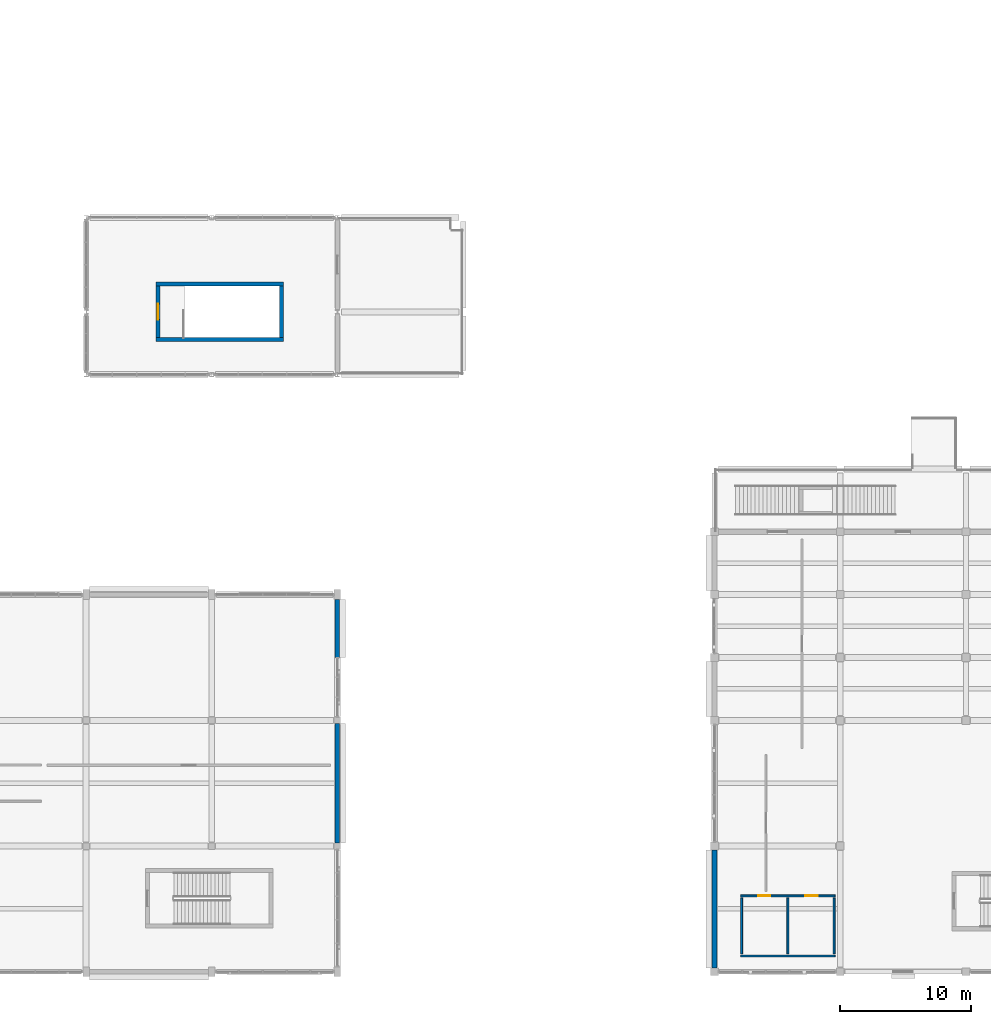
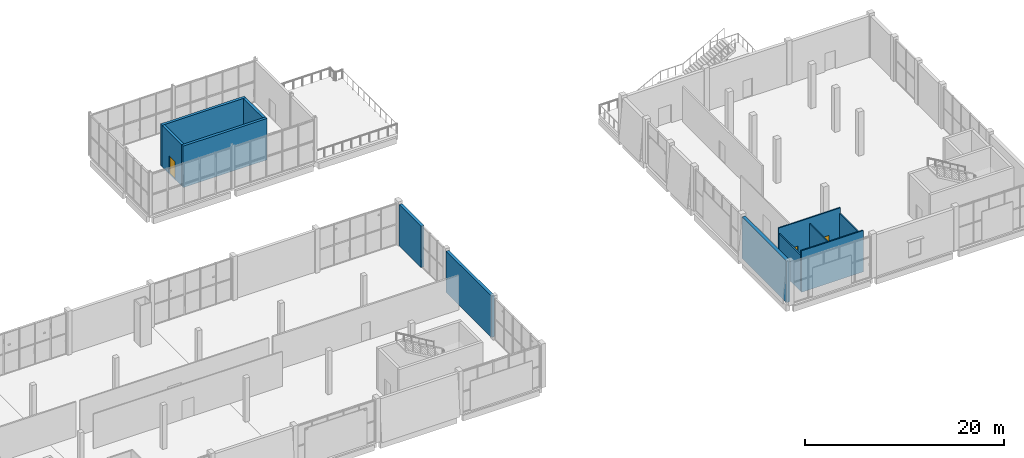
# One storey, part 54 of 83: 12 walls, 3 doors, 3 openings.
"""IFC4 building model written with IfcOpenShell, lengths in metres."""

from ifc_helpers import new_model, si_unit, direction, frame, frame_2d, origin, place, context, subcontext, project, spatial, rectangle, extrude, material, layer, layer_set, type_object, element, fill, save


model = new_model("IFC4")

# Units and contexts
model_context = context("Model", 3, precision=1e-05, world=origin(), true_north=direction((0.0, 1.0)))
body_context = subcontext(model_context, "Body", "Model", "MODEL_VIEW")
ifc_project = project(units=[si_unit("LENGTHUNIT", "METRE"), si_unit("AREAUNIT", "SQUARE_METRE"), si_unit("VOLUMEUNIT", "CUBIC_METRE"), si_unit("PLANEANGLEUNIT", "RADIAN"), si_unit("MASSUNIT", "GRAM", prefix="KILO")], contexts=[model_context])

# Site, building, storey
site_placement = place(None, origin())
site = spatial("IfcSite", under=ifc_project, at=site_placement, CompositionType="ELEMENT")
building_placement = place(site_placement, origin())
building = spatial("IfcBuilding", under=site, at=building_placement, Name="Shalvenor Court Art Gallery", CompositionType="ELEMENT")
storey_placement = place(building_placement, frame((0.0, 0.0, 6.0)))
storey = spatial("IfcBuildingStorey", under=building, at=storey_placement, Name="L01", CompositionType="ELEMENT", Elevation=6.0)

# Walls
ifc_material_1 = material(Name="Concrete C40/50", Category="concrete")
ifc_layer_1 = layer(ifc_material_1, 0.31005859375, Name="Concrete C40/50")
ifc_layer_set_1 = layer_set([ifc_layer_1], Name="Concrete C40/50")
wall_type_1 = type_object("IfcWallType", Name="CW-W2", PredefinedType="SHEAR", material=ifc_layer_set_1)
wall_1_placement = place(storey_placement, frame((53.327880859375, 52.51708984375, 0.0), z_axis=(0.0, 0.0, 1.0), x_axis=(1.0, 0.0, 0.0)))
element("IfcWall", 1, at=wall_1_placement, inside=storey, type_object=wall_type_1, Name="L01 C10 Stair Core Shear Wall N", PredefinedType="SHEAR", context=body_context, shape_type="SweptSolid", body=[
    extrude(rectangle(XDim=9.744140625, YDim=0.31005859375, at=frame_2d((4.8720703125, 0.0))), origin(), (0.0, 0.0, 1.0), 5.080078125),
])
wall_2_placement = place(storey_placement, frame((62.9169921875, 52.362060546875, 0.0), z_axis=(0.0, 0.0, 1.0), x_axis=(0.0, -1.0, 0.0)))
element("IfcWall", 2, at=wall_2_placement, inside=storey, type_object=wall_type_1, Name="L01 C10 Stair Core Shear Wall E", PredefinedType="SHEAR", context=body_context, shape_type="SweptSolid", body=[
    extrude(rectangle(XDim=3.924072265625, YDim=0.31005859375, at=frame_2d((1.9619140625, 0.0))), origin(), (0.0, 0.0, 1.0), 5.080078125),
])
wall_3_placement = place(storey_placement, frame((63.072021484375, 48.282958984375, 0.0), z_axis=(0.0, 0.0, 1.0), x_axis=(-1.0, 0.0, 0.0)))
element("IfcWall", 3, at=wall_3_placement, inside=storey, type_object=wall_type_1, Name="L01 C10 Stair Core Shear Wall S", PredefinedType="SHEAR", context=body_context, shape_type="SweptSolid", body=[
    extrude(rectangle(XDim=9.744140625, YDim=0.31005859375, at=frame_2d((4.8720703125, 0.0))), origin(), (0.0, 0.0, 1.0), 5.080078125),
])

# Wall, opening, door
wall_4_placement = place(storey_placement, frame((53.48291015625, 48.43798828125, 0.0), z_axis=(0.0, 0.0, 1.0), x_axis=(0.0, 1.0, 0.0)))
wall_4 = element("IfcWall", 4, at=wall_4_placement, inside=storey, type_object=wall_type_1, Name="L01 C10 Stair Core Shear Wall W", PredefinedType="SHEAR", context=body_context, shape_type="SweptSolid", body=[
    extrude(rectangle(XDim=3.924072265625, YDim=0.31005859375, at=frame_2d((1.9619140625, 0.0))), origin(), (0.0, 0.0, 1.0), 5.080078125),
])
opening_1_placement = place(wall_4_placement, frame((1.362060546875, 0.0, 0.0)))
opening_1 = element("IfcOpeningElement", 5, at=opening_1_placement, cuts=wall_4, Name="Opening FD-01", PredefinedType="OPENING", context=body_context, shape_type="SweptSolid", body=[
    extrude(rectangle(XDim=1.199951171875, YDim=2.199951171875, at=frame_2d((0.60009765625, 1.10009765625))), frame((0.0, 0.1650390625, 0.0), z_axis=(0.0, -1.0, 0.0), x_axis=(1.0, 0.0, 0.0)), (0.0, 0.0, 1.0), 0.330078125),
])
ifc_material_2 = material(Name="Fire-rated steel stair doorset", Category="steel")
door_type_1 = type_object("IfcDoorType", Name="FD-01", OperationType="NOTDEFINED", PredefinedType="DOOR", material=ifc_material_2)
door_1_placement = place(opening_1_placement, origin())
door_1 = element("IfcDoor", 6, at=door_1_placement, inside=storey, type_object=door_type_1, Name="DR-ST-L01-C10 L01 ST-10 Fire Stair Door", OperationType="SINGLE_SWING_LEFT", OverallHeight=2.199951171875, OverallWidth=1.199951171875, PredefinedType="DOOR", context=body_context, shape_type="SweptSolid", body=[
    extrude(rectangle(XDim=1.199951171875, YDim=2.199951171875, at=frame_2d((0.60009765625, 1.10009765625))), frame((0.0, 0.02490234375, 0.0), z_axis=(0.0, -1.0, 0.0), x_axis=(1.0, 0.0, 0.0)), (0.0, 0.0, 1.0), 0.050048828125),
])
fill(opening_1, door_1)

# Walls
ifc_material_3 = material(Name="Concrete C40/50", Category="concrete")
ifc_layer_2 = layer(ifc_material_3, 0.3798828125, Name="Concrete C40/50")
ifc_layer_set_2 = layer_set([ifc_layer_2], Name="Concrete C40/50")
wall_type_2 = type_object("IfcWallType", Name="EW-03", PredefinedType="SOLIDWALL", material=ifc_layer_set_2)
wall_5_placement = place(storey_placement, frame((96.0, 0.300048828125, 0.0), z_axis=(0.0, 0.0, 1.0), x_axis=(0.0, 1.0, 0.0)))
element("IfcWall", 7, at=wall_5_placement, inside=storey, type_object=wall_type_2, Name="L01 V3 Exterior Wall WL-L01-0195", PredefinedType="SOLIDWALL", context=body_context, shape_type="SweptSolid", body=[
    extrude(rectangle(XDim=9.0, YDim=0.3798828125, at=frame_2d((4.5, 0.0))), origin(), (0.0, 0.0, 1.0), 5.080078125),
])
ifc_material_4 = material(Name="Concrete C40/50", Category="concrete")
ifc_layer_3 = layer(ifc_material_4, 0.340087890625, Name="Concrete C40/50")
ifc_layer_set_3 = layer_set([ifc_layer_3], Name="Concrete C40/50")
wall_type_3 = type_object("IfcWallType", Name="EW-04", PredefinedType="SOLIDWALL", material=ifc_layer_set_3)
wall_6_placement = place(storey_placement, frame((67.199951171875, 28.425048828125, 0.0), z_axis=(0.0, 0.0, 1.0), x_axis=(0.0, -1.0, 0.0)))
element("IfcWall", 8, at=wall_6_placement, inside=storey, type_object=wall_type_3, Name="L01 V4 Exterior Wall WL-L01-0253", PredefinedType="SOLIDWALL", context=body_context, shape_type="SweptSolid", body=[
    extrude(rectangle(XDim=4.425048828125, YDim=0.340087890625, at=frame_2d((2.21240234375, 0.0))), origin(), (0.0, 0.0, 1.0), 5.080078125),
])
wall_7_placement = place(storey_placement, frame((67.199951171875, 18.949951171875, 0.0), z_axis=(0.0, 0.0, 1.0), x_axis=(0.0, -1.0, 0.0)))
element("IfcWall", 9, at=wall_7_placement, inside=storey, type_object=wall_type_3, Name="L01 V4 Exterior Wall WL-L01-0254", PredefinedType="SOLIDWALL", context=body_context, shape_type="SweptSolid", body=[
    extrude(rectangle(XDim=9.099853515625, YDim=0.340087890625, at=frame_2d((4.5498046875, 0.0))), origin(), (0.0, 0.0, 1.0), 5.080078125),
])

# Wall, openings, doors
ifc_material_5 = material(Name="Moisture-resistant sanitary partition", Category="other")
ifc_layer_4 = layer(ifc_material_5, 0.14990234375, Name="Moisture-resistant sanitary partition")
ifc_layer_set_4 = layer_set([ifc_layer_4], Name="Moisture-resistant sanitary partition")
wall_type_4 = type_object("IfcWallType", Name="PT-03", PredefinedType="PARTITIONING", material=ifc_layer_set_4)
wall_8_placement = place(storey_placement, frame((98.0, 5.800048828125, 0.0), z_axis=(0.0, 0.0, 1.0), x_axis=(1.0, 0.0, 0.0)))
wall_8 = element("IfcWall", 10, at=wall_8_placement, inside=storey, type_object=wall_type_4, Name="L01 C4 Restroom Front Partition", PredefinedType="PARTITIONING", context=body_context, shape_type="SweptSolid", body=[
    extrude(rectangle(XDim=7.199951171875, YDim=0.14990234375, at=frame_2d((3.60009765625, 0.0))), origin(), (0.0, 0.0, 1.0), 5.080078125),
])
opening_2_placement = place(wall_8_placement, frame((1.35009765625, 0.0, 0.0)))
opening_2 = element("IfcOpeningElement", 11, at=opening_2_placement, cuts=wall_8, Name="Opening ID-07", PredefinedType="OPENING", context=body_context, shape_type="SweptSolid", body=[
    extrude(rectangle(XDim=0.89990234375, YDim=2.10009765625, at=frame_2d((0.449951171875, 1.050048828125))), frame((0.0, 0.0849609375, 0.0), z_axis=(0.0, -1.0, 0.0), x_axis=(1.0, 0.0, 0.0)), (0.0, 0.0, 1.0), 0.169921875),
])
opening_3_placement = place(wall_8_placement, frame((4.925048828125, 0.0, 0.0)))
opening_3 = element("IfcOpeningElement", 12, at=opening_3_placement, cuts=wall_8, Name="Opening ID-06", PredefinedType="OPENING", context=body_context, shape_type="SweptSolid", body=[
    extrude(rectangle(XDim=0.949951171875, YDim=2.14990234375, at=frame_2d((0.47509765625, 1.074951171875))), frame((0.0, 0.0849609375, 0.0), z_axis=(0.0, -1.0, 0.0), x_axis=(1.0, 0.0, 0.0)), (0.0, 0.0, 1.0), 0.169921875),
])
ifc_material_6 = material(Name="Accessible restroom doorset", Category="steel")
door_type_2 = type_object("IfcDoorType", Name="ID-06", OperationType="NOTDEFINED", PredefinedType="DOOR", material=ifc_material_6)
door_2_placement = place(opening_3_placement, origin())
door_2 = element("IfcDoor", 13, at=door_2_placement, inside=storey, type_object=door_type_2, Name="DR-AWC-L01-C4-2 L01 C4 Accessible Restroom Door", OperationType="SINGLE_SWING_RIGHT", OverallHeight=2.14990234375, OverallWidth=0.949951171875, PredefinedType="DOOR", context=body_context, shape_type="SweptSolid", body=[
    extrude(rectangle(XDim=0.949951171875, YDim=2.14990234375, at=frame_2d((0.47509765625, 1.074951171875))), frame((0.0, 0.02490234375, 0.0), z_axis=(0.0, -1.0, 0.0), x_axis=(1.0, 0.0, 0.0)), (0.0, 0.0, 1.0), 0.050048828125),
])
fill(opening_3, door_2)
ifc_material_7 = material(Name="Restroom timber doorset", Category="wood")
door_type_3 = type_object("IfcDoorType", Name="ID-07", OperationType="NOTDEFINED", PredefinedType="DOOR", material=ifc_material_7)
door_3_placement = place(opening_2_placement, origin())
door_3 = element("IfcDoor", 14, at=door_3_placement, inside=storey, type_object=door_type_3, Name="DR-WC-L01-C4-1 L01 C4 Public Restroom Door", OperationType="SINGLE_SWING_LEFT", OverallHeight=2.10009765625, OverallWidth=0.89990234375, PredefinedType="DOOR", context=body_context, shape_type="SweptSolid", body=[
    extrude(rectangle(XDim=0.89990234375, YDim=2.10009765625, at=frame_2d((0.449951171875, 1.050048828125))), frame((0.0, 0.02490234375, 0.0), z_axis=(0.0, -1.0, 0.0), x_axis=(1.0, 0.0, 0.0)), (0.0, 0.0, 1.0), 0.050048828125),
])
fill(opening_2, door_3)

# Walls
wall_9_placement = place(storey_placement, frame((98.0, 1.199951171875, 0.0), z_axis=(0.0, 0.0, 1.0), x_axis=(1.0, 0.0, 0.0)))
element("IfcWall", 15, at=wall_9_placement, inside=storey, type_object=wall_type_4, Name="L01 C4 Restroom Back Partition", PredefinedType="PARTITIONING", context=body_context, shape_type="SweptSolid", body=[
    extrude(rectangle(XDim=7.199951171875, YDim=0.14990234375, at=frame_2d((3.60009765625, 0.0))), origin(), (0.0, 0.0, 1.0), 5.080078125),
])
for number, where, z_axis, x_axis, name in (
    (16, (98.074951171875, 1.360107421875, 0.0), (0.0, 0.0, 1.0), (0.0, 1.0, 0.0), "L01 C4 Restroom Partition L"),
    (17, (101.60009765625, 1.360107421875, 0.0), (0.0, 0.0, 1.0), (0.0, 1.0, 0.0), "L01 C4 Restroom Partition M"),
    (18, (105.125, 1.360107421875, 0.0), (0.0, 0.0, 1.0), (0.0, 1.0, 0.0), "L01 C4 Restroom Partition R"),
):
    element("IfcWall", number, at=place(storey_placement, frame(where, z_axis=z_axis, x_axis=x_axis)), inside=storey, type_object=wall_type_4, Name=name, PredefinedType="PARTITIONING", context=body_context, shape_type="SweptSolid", body=[
        extrude(rectangle(XDim=4.27978515625, YDim=0.14990234375, at=frame_2d((2.139892578125, 0.0))), origin(), (0.0, 0.0, 1.0), 4.455078125),
    ])

save(model, "model.ifc")
